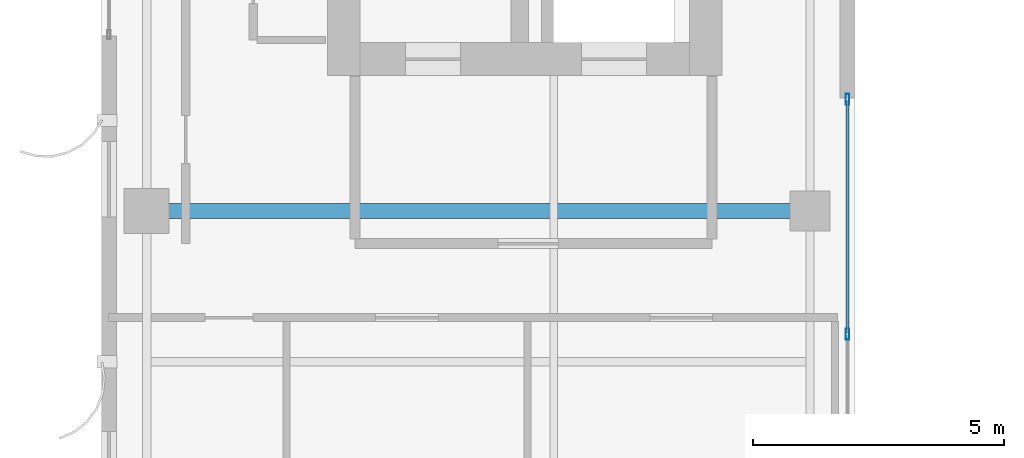
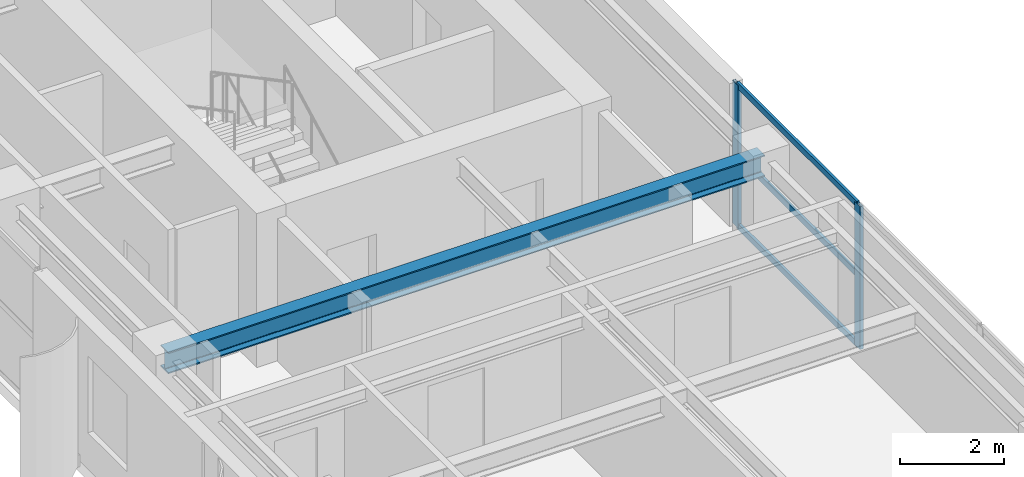
# One storey, part 4 of 22: 5 members, 1 beam, 1 element without a shape of its own.
"""IFC4 building model written with IfcOpenShell, lengths in metres."""

from ifc_helpers import new_model, si_unit, direction, frame, origin, origin_2d, place, context, subcontext, project, spatial, hollow_rectangle, i_section, extrude, source, transform, mapped, material, layer, layer_set, material_profile, profile_set, type_object, element, aggregate, save


model = new_model("IFC4")

# Units and contexts
model_context = context("Model", 3, precision=1e-05, world=origin(), true_north=direction((0.0, 1.0)))
body_context = subcontext(model_context, "Body", "Model", "MODEL_VIEW")
ifc_project = project(units=[si_unit("LENGTHUNIT", "METRE"), si_unit("AREAUNIT", "SQUARE_METRE"), si_unit("VOLUMEUNIT", "CUBIC_METRE"), si_unit("PLANEANGLEUNIT", "RADIAN"), si_unit("MASSUNIT", "GRAM", prefix="KILO")], contexts=[model_context])

# Site, building, storey
site_placement = place(None, origin())
site = spatial("IfcSite", under=ifc_project, at=site_placement, CompositionType="ELEMENT")
building_placement = place(site_placement, origin())
building = spatial("IfcBuilding", under=site, at=building_placement, Name="Khoralis Quay Care Tower", CompositionType="ELEMENT")
storey_placement = place(building_placement, frame((0.0, 0.0, 202.5)))
storey = spatial("IfcBuildingStorey", under=building, at=storey_placement, Name="L53", CompositionType="ELEMENT", Elevation=202.5)

# Beam
ifc_material_1 = material(Name="Steel S355", Category="steel")
ifc_material_profile_1 = material_profile(ifc_material_1, i_section(OverallWidth=0.300048828125, OverallDepth=0.5, WebThickness=0.014404296875, FlangeThickness=0.028076171875, FilletRadius=0.027099609375, at=origin_2d()), Name="Steel S355")
ifc_profile_set_1 = profile_set([ifc_material_profile_1], Name="Steel S355")
beam_type = type_object("IfcBeamType", Name="BM-HEB500", PredefinedType="BEAM", material=ifc_profile_set_1)
shared_shape_1 = source(origin(), body_context, "Body", "SweptSolid", [
    extrude(i_section(OverallWidth=0.300048828125, OverallDepth=0.5, WebThickness=0.014404296875, FlangeThickness=0.028076171875, FilletRadius=0.027099609375, at=origin_2d()), origin(), (0.0, 0.0, 1.0), 13.2001953125),
])
beam_placement = place(storey_placement, frame((3.89990234375, 12.0, 3.090087890625), z_axis=(1.0, 0.0, 0.0), x_axis=(0.0, 1.0, 0.0)))
element("IfcBeam", 1, at=beam_placement, inside=storey, type_object=beam_type, Name="BM-TGXW-L53-120", PredefinedType="BEAM", context=body_context, shape_type="MappedRepresentation", body=[
    mapped(shared_shape_1, transform((0.0, 0.0, 0.0), scale=1.0)),
])

# Curtain wall, members
ifc_material_2 = material(Name="Pale anodised aluminium", Category="aluminium")
ifc_layer = layer(ifc_material_2, 0.18994140625)
ifc_layer_set = layer_set([ifc_layer], Name="Pale anodised aluminium")
curtain_wall_type = type_object("IfcCurtainWallType", Name="CW-SYS-PORTAL", PredefinedType="NOTDEFINED", material=ifc_layer_set)
curtain_wall_placement = place(storey_placement, origin())
curtain_wall = element("IfcCurtainWall", 2, at=curtain_wall_placement, inside=storey, type_object=curtain_wall_type, Name="L53 Unitised Curtain Wall CW-VP-L53-P1-S", PredefinedType="NOTDEFINED")
ifc_material_profile_2 = material_profile(ifc_material_2, hollow_rectangle(XDim=0.074951171875, YDim=0.219970703125, WallThickness=0.00390625, at=origin_2d()), Name="Pale anodised aluminium")
ifc_profile_set_2 = profile_set([ifc_material_profile_2], Name="Pale anodised aluminium")
member_type_1 = type_object("IfcMemberType", Name="CW-MUL-220", PredefinedType="MULLION", material=ifc_profile_set_2)
shared_shape_2 = source(origin(), body_context, "Body", "SweptSolid", [
    extrude(hollow_rectangle(XDim=0.074951171875, YDim=0.219970703125, WallThickness=0.00390625, at=origin_2d()), origin(), (0.0, 0.0, 1.0), 3.340087890625),
])
member_1_placement = place(storey_placement, frame((17.85009765625, 9.550048828125, 0.0), z_axis=(0.0, 0.0, 1.0), x_axis=(-1.0, 0.0, 0.0)))
member_1 = element("IfcMember", 3, at=member_1_placement, type_object=member_type_1, Name="CW4 mullion 3", PredefinedType="MULLION", context=body_context, shape_type="MappedRepresentation", body=[
    mapped(shared_shape_2, transform((0.0, 0.0, 0.0), scale=1.0)),
])
member_2_placement = place(storey_placement, frame((17.85009765625, 14.219970703125, 0.0), z_axis=(0.0, 0.0, 1.0), x_axis=(-1.0, 0.0, 0.0)))
member_2 = element("IfcMember", 4, at=member_2_placement, type_object=member_type_1, Name="CW4 mullion 4", PredefinedType="MULLION", context=body_context, shape_type="MappedRepresentation", body=[
    mapped(shared_shape_2, transform((0.0, 0.0, 0.0), scale=1.0)),
])
ifc_material_profile_3 = material_profile(ifc_material_2, hollow_rectangle(XDim=0.06005859375, YDim=0.139892578125, WallThickness=0.00390625, at=origin_2d()), Name="Pale anodised aluminium")
ifc_profile_set_3 = profile_set([ifc_material_profile_3], Name="Pale anodised aluminium")
member_type_2 = type_object("IfcMemberType", Name="CW-TRN-140", PredefinedType="USERDEFINED", material=ifc_profile_set_3)
shared_shape_3 = source(origin(), body_context, "Body", "SweptSolid", [
    extrude(hollow_rectangle(XDim=0.06005859375, YDim=0.139892578125, WallThickness=0.00390625, at=origin_2d()), origin(), (0.0, 0.0, 1.0), 4.60986328125),
])
member_3_placement = place(storey_placement, frame((17.85009765625, 9.580078125, 0.030029296875), z_axis=(0.0, 1.0, 0.0), x_axis=(-1.0, 0.0, 0.0)))
member_3 = element("IfcMember", 5, at=member_3_placement, type_object=member_type_2, Name="CW4 transom 3.1", ObjectType="TRANSOM", PredefinedType="USERDEFINED", context=body_context, shape_type="MappedRepresentation", body=[
    mapped(shared_shape_3, transform((0.0, 0.0, 0.0), scale=1.0)),
])
member_4_placement = place(storey_placement, frame((17.85009765625, 9.580078125, 1.669921875), z_axis=(0.0, 1.0, 0.0), x_axis=(-1.0, 0.0, 0.0)))
member_4 = element("IfcMember", 6, at=member_4_placement, type_object=member_type_2, Name="CW4 transom 3.2", ObjectType="TRANSOM", PredefinedType="USERDEFINED", context=body_context, shape_type="MappedRepresentation", body=[
    mapped(shared_shape_3, transform((0.0, 0.0, 0.0), scale=1.0)),
])
member_5_placement = place(storey_placement, frame((17.85009765625, 9.580078125, 3.31005859375), z_axis=(0.0, 1.0, 0.0), x_axis=(-1.0, 0.0, 0.0)))
member_5 = element("IfcMember", 7, at=member_5_placement, type_object=member_type_2, Name="CW4 transom 3.3", ObjectType="TRANSOM", PredefinedType="USERDEFINED", context=body_context, shape_type="MappedRepresentation", body=[
    mapped(shared_shape_3, transform((0.0, 0.0, 0.0), scale=1.0)),
])
aggregate(curtain_wall, [member_1, member_2, member_3, member_4, member_5])

save(model, "model.ifc")
